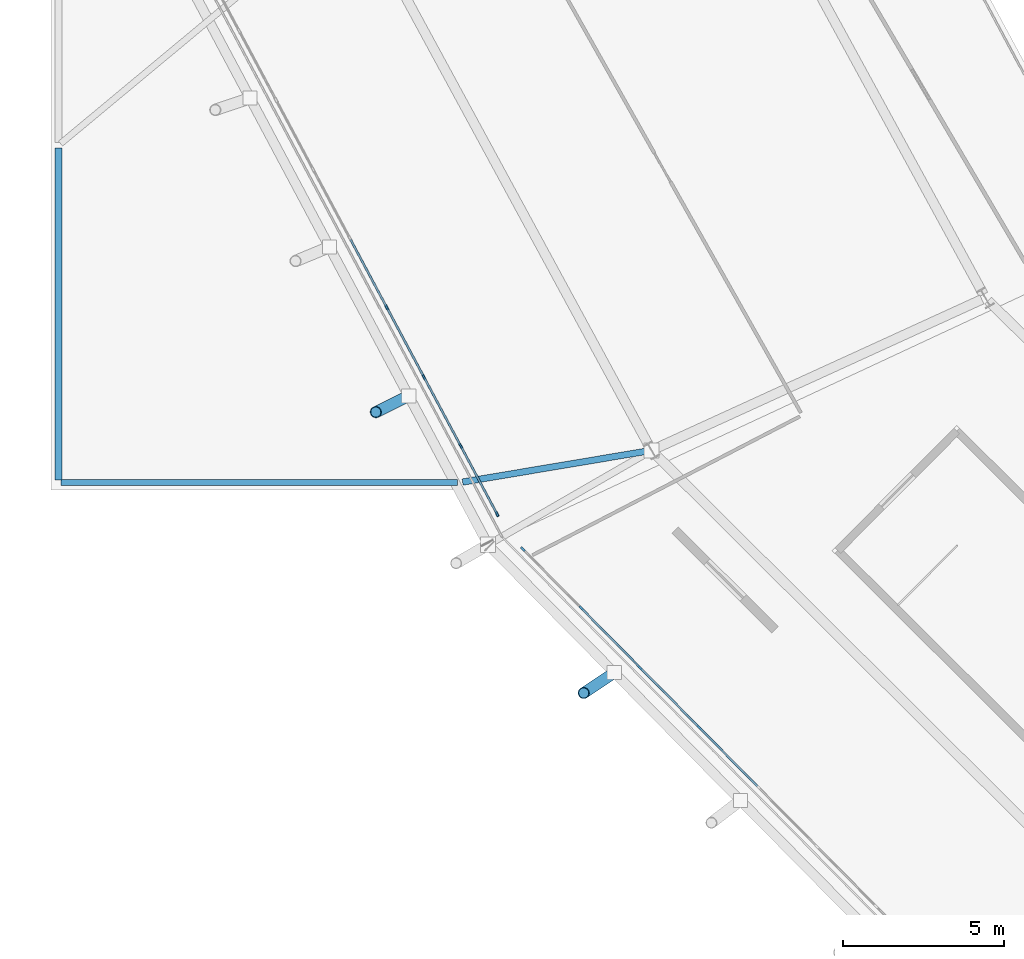
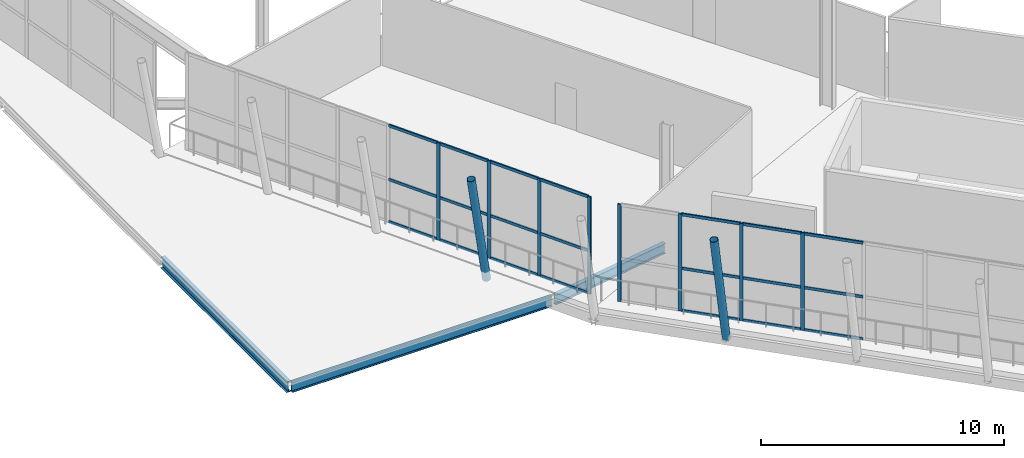
# One storey, part 16 of 99: 31 members, 3 beams, 2 elements without a shape of their own.
"""IFC4 building model written with IfcOpenShell, lengths in metres."""

import ifcopenshell
import ifcopenshell.guid

model = None  # the IFC model being written
_history = None  # IfcOwnerHistory: only IFC2X3 demands one
_inside = {}  # id of a spatial element -> (the spatial element, [elements in it])
_under = {}  # id of a project, library or spatial element -> (it, [spatial elements below it])
_declared = {}  # id of a project -> (the project, [libraries it declares])
_typed = {}  # id of a type object -> (the type object, [elements of that type])
_made_of = {}  # id of a material, layer set ... -> (it, [elements and type objects made of it])


def new_model(schema):
    """Start an empty IFC model of exactly this schema.

    Asked for "IFC4X3", IfcOpenShell would pick the latest addendum, in which some entities
    have other attributes; the version numbers below select the first issue.
    IFC2X3 requires an IfcOwnerHistory on every rooted entity: one is made here for all.
    """
    global model, _history
    if schema == "IFC4X3":
        model = ifcopenshell.file(schema_version=(4, 3, 0, 0))
    else:
        model = ifcopenshell.file(schema=schema)
    _inside.clear()
    _under.clear()
    _declared.clear()
    _typed.clear()
    _made_of.clear()
    _history = None
    if model.schema == "IFC2X3":
        org = make("IfcOrganization", Name="unknown")
        user = make(
            "IfcPersonAndOrganization",
            ThePerson=make("IfcPerson", FamilyName="unknown"),
            TheOrganization=org,
        )
        app = make(
            "IfcApplication",
            ApplicationDeveloper=org,
            Version="unknown",
            ApplicationFullName="unknown",
            ApplicationIdentifier="unknown",
        )
        _history = make(
            "IfcOwnerHistory",
            OwningUser=user,
            OwningApplication=app,
            ChangeAction="ADDED",
            CreationDate=0,
        )
    return model


def make(cls, **values):
    """One entity of the class cls with the attributes given. An attribute that is None is left unset."""
    return model.create_entity(
        cls, **{name: value for name, value in values.items() if value is not None}
    )


def rooted(cls, **values):
    """An entity with a GlobalId (a new one), such as an element, a storey or a relation."""
    return make(cls, GlobalId=ifcopenshell.guid.new(), OwnerHistory=_history, **values)


def si_unit(unit_type, name, prefix=None):
    """IfcSIUnit, for example si_unit("LENGTHUNIT", "METRE", prefix="MILLI")."""
    return make("IfcSIUnit", UnitType=unit_type, Prefix=prefix, Name=name)


def assignment(units):
    """IfcUnitAssignment: the units of a project."""
    return None if units is None else make("IfcUnitAssignment", Units=units)


def point(xyz):
    """IfcCartesianPoint."""
    return None if xyz is None else make("IfcCartesianPoint", Coordinates=xyz)


def direction(xyz):
    """IfcDirection."""
    return None if xyz is None else make("IfcDirection", DirectionRatios=xyz)


def frame(location, z_axis=None, x_axis=None):
    """IfcAxis2Placement3D, a coordinate frame: its origin and axes. An axis left out is left unset."""
    return make(
        "IfcAxis2Placement3D",
        Location=point(location),
        Axis=direction(z_axis),
        RefDirection=direction(x_axis),
    )


def frame_2d(location, x_axis=None):
    """IfcAxis2Placement2D, a coordinate frame in the plane: its origin and x axis."""
    return make(
        "IfcAxis2Placement2D", Location=point(location), RefDirection=direction(x_axis)
    )


def origin():
    """The frame at (0, 0, 0) with its axes left unset."""
    return frame((0.0, 0.0, 0.0))


def origin_2d():
    """The frame at (0, 0) in the plane with its x axis left unset."""
    return frame_2d((0.0, 0.0))


def place(relative_to, where):
    """IfcLocalPlacement: puts the frame where relative to a parent placement (None: the world)."""
    return make(
        "IfcLocalPlacement", PlacementRelTo=relative_to, RelativePlacement=where
    )


def context(
    kind, dimensions, precision=None, world=None, true_north=None, identifier=None
):
    """IfcGeometricRepresentationContext, for example the 3D "Model" context."""
    return make(
        "IfcGeometricRepresentationContext",
        ContextIdentifier=identifier,
        ContextType=kind,
        CoordinateSpaceDimension=dimensions,
        Precision=precision,
        WorldCoordinateSystem=world,
        TrueNorth=true_north,
    )


def subcontext(parent, identifier, kind, view, scale=None):
    """IfcGeometricRepresentationSubContext, for example "Body" below "Model"."""
    return make(
        "IfcGeometricRepresentationSubContext",
        ContextIdentifier=identifier,
        ContextType=kind,
        ParentContext=parent,
        TargetScale=scale,
        TargetView=view,
    )


def project(units=None, contexts=None):
    """IfcProject with its units and contexts."""
    return rooted(
        "IfcProject",
        Name="project",
        RepresentationContexts=contexts,
        UnitsInContext=assignment(units),
    )


def spatial(cls, under=None, at=None, **own):
    """A site, building, storey or space (cls), placed at a placement, below another one or the project."""
    s = rooted(cls, ObjectPlacement=at, **own)
    if under is not None:
        _under.setdefault(under.id(), (under, []))[1].append(s)
    return s


def profile(cls, at=None, kind="AREA", **sizes):
    """A parametric profile (cls). Its sizes go by their IFC names, for example OverallWidth=200.0."""
    return make(cls, ProfileType=kind, Position=at, **sizes)


def rectangle(**sizes):
    """IfcRectangleProfileDef."""
    return profile("IfcRectangleProfileDef", **sizes)


def hollow_circle(**sizes):
    """IfcCircleHollowProfileDef."""
    return profile("IfcCircleHollowProfileDef", **sizes)


def i_section(**sizes):
    """IfcIShapeProfileDef."""
    return profile("IfcIShapeProfileDef", **sizes)


def extrude(swept, where, along, depth):
    """IfcExtrudedAreaSolid: the profile swept, set in the frame where, extruded along a direction by depth."""
    return make(
        "IfcExtrudedAreaSolid",
        SweptArea=swept,
        Position=where,
        ExtrudedDirection=direction(along),
        Depth=depth,
    )


def shape(context_of_items, identifier, shape_type, items):
    """IfcShapeRepresentation: the items that make up one representation, for example the "Body"."""
    return make(
        "IfcShapeRepresentation",
        ContextOfItems=context_of_items,
        RepresentationIdentifier=identifier,
        RepresentationType=shape_type,
        Items=items,
    )


def material(Name=None, Category=None):
    """IfcMaterial."""
    return make("IfcMaterial", Name=Name, Category=Category)


def material_profile(
    of_material, cross_section, Name=None, Category=None, Priority=None
):
    """IfcMaterialProfile: a cross section and its material."""
    return make(
        "IfcMaterialProfile",
        Name=Name,
        Material=of_material,
        Profile=cross_section,
        Priority=Priority,
        Category=Category,
    )


def profile_set(profiles, Name=None, composite=None):
    """IfcMaterialProfileSet."""
    return make(
        "IfcMaterialProfileSet",
        Name=Name,
        MaterialProfiles=profiles,
        CompositeProfile=composite,
    )


def made_of(thing, what):
    """Note that an element or type object is made of a material, layer set ...; save() writes the relation."""
    if what is not None:
        _made_of.setdefault(what.id(), (what, []))[1].append(thing)
    return thing


def type_object(cls, material=None, **own):
    """A type object (cls), such as IfcWallType, which elements share."""
    return made_of(rooted(cls, **own), material)


def element(
    cls,
    number,
    at=None,
    inside=None,
    cuts=None,
    type_object=None,
    material=None,
    context=None,
    identifier="Body",
    shape_type=None,
    held_by="IfcProductDefinitionShape",
    body=None,
    shapes=None,
    **own,
):
    """One element of the class cls, such as IfcWall. Its Tag is "e" and its number.

    at: its placement. inside: the storey or other place that contains it. cuts: it is an
    opening in that element (IfcRelVoidsElement). A single representation is given by context,
    identifier, shape_type and body (its items); several are given by shapes. held_by: the class
    of the entity that holds the representations. save() writes the other relations.
    """
    e = rooted(cls, Tag="e%d" % number, ObjectPlacement=at, **own)
    if body is not None:
        shapes = [shape(context, identifier, shape_type, body)]
    if shapes is not None:
        e.Representation = make(held_by, Representations=shapes)
    if inside is not None:
        _inside.setdefault(inside.id(), (inside, []))[1].append(e)
    if cuts is not None:
        rooted(
            "IfcRelVoidsElement", RelatingBuildingElement=cuts, RelatedOpeningElement=e
        )
    if type_object is not None:
        _typed.setdefault(type_object.id(), (type_object, []))[1].append(e)
    return made_of(e, material)


def aggregate(whole, parts):
    """IfcRelAggregates: a whole, such as a stair, and the parts it consists of."""
    return rooted("IfcRelAggregates", RelatingObject=whole, RelatedObjects=parts)


def save(model, path):
    """Write the relations noted so far, then the file.

    IfcRelAggregates (storeys below a building ...), IfcRelContainedInSpatialStructure (elements
    in a storey), IfcRelDefinesByType, IfcRelAssociatesMaterial and IfcRelDeclares: one each for
    every whole, place, type object, material and project.
    """
    for whole, parts in _under.values():
        aggregate(whole, parts)
    for where, things in _inside.values():
        rooted(
            "IfcRelContainedInSpatialStructure",
            RelatedElements=things,
            RelatingStructure=where,
        )
    for kind, things in _typed.values():
        rooted("IfcRelDefinesByType", RelatedObjects=things, RelatingType=kind)
    for what, things in _made_of.values():
        rooted("IfcRelAssociatesMaterial", RelatedObjects=things, RelatingMaterial=what)
    for by, libraries in _declared.values():
        rooted("IfcRelDeclares", RelatingContext=by, RelatedDefinitions=libraries)
    model.write(path)


model = new_model("IFC4")

# Units and contexts
model_context = context("Model", 3, precision=1e-05, world=origin(), true_north=direction((0.0, 1.0)))
body_context = subcontext(model_context, "Body", "Model", "MODEL_VIEW")
ifc_project = project(units=[si_unit("LENGTHUNIT", "METRE"), si_unit("AREAUNIT", "SQUARE_METRE"), si_unit("VOLUMEUNIT", "CUBIC_METRE"), si_unit("PLANEANGLEUNIT", "RADIAN"), si_unit("MASSUNIT", "GRAM", prefix="KILO")], contexts=[model_context])

# Site, building, storey
site_placement = place(None, origin())
site = spatial("IfcSite", under=ifc_project, at=site_placement, CompositionType="ELEMENT")
building_placement = place(site_placement, origin())
building = spatial("IfcBuilding", under=site, at=building_placement, Name="Zlatoyarsky Gate Stadium", CompositionType="ELEMENT")
storey_placement = place(building_placement, frame((0.0, 0.0, 26.199951171875)))
storey = spatial("IfcBuildingStorey", under=building, at=storey_placement, Name="L05", CompositionType="ELEMENT", Elevation=26.199951171875)

# Curtain wall, members
ifc_material_1 = material(Name="Thermally broken anodised aluminium curtain wall", Category="aluminium")
curtain_wall_type = type_object("IfcCurtainWallType", Name="UNITISED SKYBOX RING GLAZING L05", PredefinedType="USERDEFINED", material=ifc_material_1)
curtain_wall_1_placement = place(storey_placement, origin())
curtain_wall_1 = element("IfcCurtainWall", 1, at=curtain_wall_1_placement, inside=storey, type_object=curtain_wall_type, Name="Curtain wall CW-L05-13", ObjectType="UNITISED GLAZING", PredefinedType="USERDEFINED")
ifc_material_2 = material(Name="Anodised aluminium 6063-T6", Category="aluminium")
ifc_material_profile_1 = material_profile(ifc_material_2, rectangle(XDim=0.06494140625, YDim=0.159912109375, at=origin_2d()), Name="ALU 65X160")
ifc_profile_set_1 = profile_set([ifc_material_profile_1], Name="Anodised aluminium 6063-T6")
member_type_1 = type_object("IfcMemberType", Name="ALUMINIUM MULLION 65X160", PredefinedType="MULLION", material=ifc_profile_set_1)
member_1_placement = place(storey_placement, frame((22.220703125, 48.944091796875, 0.0), z_axis=(0.0, 0.0, 1.0), x_axis=(0.882166738191, 0.470937199667, 0.0)))
member_1 = element("IfcMember", 2, at=member_1_placement, type_object=member_type_1, Name="CW-UG5 mullion 6", PredefinedType="MULLION", context=body_context, shape_type="SweptSolid", body=[
    extrude(rectangle(XDim=0.06494140625, YDim=0.159912109375, at=origin_2d()), origin(), (0.0, 0.0, 1.0), 4.880126953125),
])
member_2_placement = place(storey_placement, frame((23.3701171875, 46.790771484375, 0.0), z_axis=(0.0, 0.0, 1.0), x_axis=(0.882166738191, 0.470937199667, 0.0)))
member_2 = element("IfcMember", 3, at=member_2_placement, type_object=member_type_1, Name="CW-UG5 mullion 7", PredefinedType="MULLION", context=body_context, shape_type="SweptSolid", body=[
    extrude(rectangle(XDim=0.06494140625, YDim=0.159912109375, at=origin_2d()), origin(), (0.0, 0.0, 1.0), 4.880126953125),
])
member_3_placement = place(storey_placement, frame((24.519775390625, 44.6376953125, 0.0), z_axis=(0.0, 0.0, 1.0), x_axis=(0.882166738191, 0.470937199667, 0.0)))
member_3 = element("IfcMember", 4, at=member_3_placement, type_object=member_type_1, Name="CW-UG5 mullion 8", PredefinedType="MULLION", context=body_context, shape_type="SweptSolid", body=[
    extrude(rectangle(XDim=0.06494140625, YDim=0.159912109375, at=origin_2d()), origin(), (0.0, 0.0, 1.0), 4.880126953125),
])
member_4_placement = place(storey_placement, frame((25.65380859375, 42.51318359375, 0.0), z_axis=(0.0, 0.0, 1.0), x_axis=(0.882166738191, 0.470937199667, 0.0)))
member_4 = element("IfcMember", 5, at=member_4_placement, type_object=member_type_1, Name="CW-UG5 mullion 9", PredefinedType="MULLION", context=body_context, shape_type="SweptSolid", body=[
    extrude(rectangle(XDim=0.06494140625, YDim=0.159912109375, at=origin_2d()), origin(), (0.0, 0.0, 1.0), 4.880126953125),
])

curtain_wall_2_placement = place(storey_placement, origin())
curtain_wall_2 = element("IfcCurtainWall", 6, at=curtain_wall_2_placement, inside=storey, type_object=curtain_wall_type, Name="Curtain wall CW-L05-14", ObjectType="UNITISED GLAZING", PredefinedType="USERDEFINED")
member_5_placement = place(storey_placement, frame((26.455322265625, 41.42578125, 0.0), z_axis=(0.0, 0.0, 1.0), x_axis=(0.711035710587, 0.70315589898, 0.0)))
member_5 = element("IfcMember", 7, at=member_5_placement, type_object=member_type_1, Name="CW-UG5 mullion 1", PredefinedType="MULLION", context=body_context, shape_type="SweptSolid", body=[
    extrude(rectangle(XDim=0.06494140625, YDim=0.159912109375, at=origin_2d()), origin(), (0.0, 0.0, 1.0), 4.880126953125),
])
member_6_placement = place(storey_placement, frame((28.268310546875, 39.59228515625, 0.0), z_axis=(0.0, 0.0, 1.0), x_axis=(0.711035710587, 0.70315589898, 0.0)))
member_6 = element("IfcMember", 8, at=member_6_placement, type_object=member_type_1, Name="CW-UG5 mullion 2", PredefinedType="MULLION", context=body_context, shape_type="SweptSolid", body=[
    extrude(rectangle(XDim=0.06494140625, YDim=0.159912109375, at=origin_2d()), origin(), (0.0, 0.0, 1.0), 4.880126953125),
])
member_7_placement = place(storey_placement, frame((30.1044921875, 37.735595703125, 0.0), z_axis=(0.0, 0.0, 1.0), x_axis=(0.711035710587, 0.70315589898, 0.0)))
member_7 = element("IfcMember", 9, at=member_7_placement, type_object=member_type_1, Name="CW-UG5 mullion 3", PredefinedType="MULLION", context=body_context, shape_type="SweptSolid", body=[
    extrude(rectangle(XDim=0.06494140625, YDim=0.159912109375, at=origin_2d()), origin(), (0.0, 0.0, 1.0), 4.880126953125),
])
member_8_placement = place(storey_placement, frame((31.9404296875, 35.879150390625, 0.0), z_axis=(0.0, 0.0, 1.0), x_axis=(0.711035710587, 0.70315589898, 0.0)))
member_8 = element("IfcMember", 10, at=member_8_placement, type_object=member_type_1, Name="CW-UG5 mullion 4", PredefinedType="MULLION", context=body_context, shape_type="SweptSolid", body=[
    extrude(rectangle(XDim=0.06494140625, YDim=0.159912109375, at=origin_2d()), origin(), (0.0, 0.0, 1.0), 4.880126953125),
])

# Member
ifc_material_profile_2 = material_profile(ifc_material_2, rectangle(XDim=0.06494140625, YDim=0.139892578125, at=origin_2d()), Name="ALU 65X140")
ifc_profile_set_2 = profile_set([ifc_material_profile_2], Name="Anodised aluminium 6063-T6")
member_type_2 = type_object("IfcMemberType", Name="ALUMINIUM TRANSOM 65X140", PredefinedType="USERDEFINED", material=ifc_profile_set_2)
member_9_placement = place(storey_placement, frame((21.086669921875, 51.068603515625, 0.032470703125), z_axis=(0.470897586762, -0.88218788406, 0.0), x_axis=(0.88218788406, 0.470897586762, 0.0)))
member_9 = element("IfcMember", 11, at=member_9_placement, type_object=member_type_2, Name="CW-UG5 transom 5.1", ObjectType="TRANSOM", PredefinedType="USERDEFINED", context=body_context, shape_type="SweptSolid", body=[
    extrude(rectangle(XDim=0.06494140625, YDim=0.139892578125, at=origin_2d()), origin(), (0.0, 0.0, 1.0), 2.37548828125),
])

member_10_placement = place(storey_placement, frame((21.086669921875, 51.068603515625, 2.150146484375), z_axis=(0.470897586762, -0.88218788406, 0.0), x_axis=(0.88218788406, 0.470897586762, 0.0)))
member_10 = element("IfcMember", 12, at=member_10_placement, type_object=member_type_2, Name="CW-UG5 transom 5.2", ObjectType="TRANSOM", PredefinedType="USERDEFINED", context=body_context, shape_type="SweptSolid", body=[
    extrude(rectangle(XDim=0.06494140625, YDim=0.139892578125, at=origin_2d()), origin(), (0.0, 0.0, 1.0), 2.37548828125),
])

member_11_placement = place(storey_placement, frame((21.086669921875, 51.068603515625, 4.84765625), z_axis=(0.470897586762, -0.88218788406, 0.0), x_axis=(0.88218788406, 0.470897586762, 0.0)))
member_11 = element("IfcMember", 13, at=member_11_placement, type_object=member_type_2, Name="CW-UG5 transom 5.3", ObjectType="TRANSOM", PredefinedType="USERDEFINED", context=body_context, shape_type="SweptSolid", body=[
    extrude(rectangle(XDim=0.06494140625, YDim=0.139892578125, at=origin_2d()), origin(), (0.0, 0.0, 1.0), 2.37548828125),
])

member_12_placement = place(storey_placement, frame((22.236083984375, 48.91552734375, 0.032470703125), z_axis=(0.470934870173, -0.882167981767, 0.0), x_axis=(0.882167981767, 0.470934870173, 0.0)))
member_12 = element("IfcMember", 14, at=member_12_placement, type_object=member_type_2, Name="CW-UG5 transom 6.1", ObjectType="TRANSOM", PredefinedType="USERDEFINED", context=body_context, shape_type="SweptSolid", body=[
    extrude(rectangle(XDim=0.06494140625, YDim=0.139892578125, at=origin_2d()), origin(), (0.0, 0.0, 1.0), 2.3759765625),
])

member_13_placement = place(storey_placement, frame((22.236083984375, 48.91552734375, 2.150146484375), z_axis=(0.470934870173, -0.882167981767, 0.0), x_axis=(0.882167981767, 0.470934870173, 0.0)))
member_13 = element("IfcMember", 15, at=member_13_placement, type_object=member_type_2, Name="CW-UG5 transom 6.2", ObjectType="TRANSOM", PredefinedType="USERDEFINED", context=body_context, shape_type="SweptSolid", body=[
    extrude(rectangle(XDim=0.06494140625, YDim=0.139892578125, at=origin_2d()), origin(), (0.0, 0.0, 1.0), 2.3759765625),
])

member_14_placement = place(storey_placement, frame((22.236083984375, 48.91552734375, 4.84765625), z_axis=(0.470934870173, -0.882167981767, 0.0), x_axis=(0.882167981767, 0.470934870173, 0.0)))
member_14 = element("IfcMember", 16, at=member_14_placement, type_object=member_type_2, Name="CW-UG5 transom 6.3", ObjectType="TRANSOM", PredefinedType="USERDEFINED", context=body_context, shape_type="SweptSolid", body=[
    extrude(rectangle(XDim=0.06494140625, YDim=0.139892578125, at=origin_2d()), origin(), (0.0, 0.0, 1.0), 2.3759765625),
])

member_15_placement = place(storey_placement, frame((23.385498046875, 46.76220703125, 0.032470703125), z_axis=(0.470934870173, -0.882167981767, 0.0), x_axis=(0.882167981767, 0.470934870173, 0.0)))
member_15 = element("IfcMember", 17, at=member_15_placement, type_object=member_type_2, Name="CW-UG5 transom 7.1", ObjectType="TRANSOM", PredefinedType="USERDEFINED", context=body_context, shape_type="SweptSolid", body=[
    extrude(rectangle(XDim=0.06494140625, YDim=0.139892578125, at=origin_2d()), origin(), (0.0, 0.0, 1.0), 2.3759765625),
])

member_16_placement = place(storey_placement, frame((23.385498046875, 46.76220703125, 2.150146484375), z_axis=(0.470934870173, -0.882167981767, 0.0), x_axis=(0.882167981767, 0.470934870173, 0.0)))
member_16 = element("IfcMember", 18, at=member_16_placement, type_object=member_type_2, Name="CW-UG5 transom 7.2", ObjectType="TRANSOM", PredefinedType="USERDEFINED", context=body_context, shape_type="SweptSolid", body=[
    extrude(rectangle(XDim=0.06494140625, YDim=0.139892578125, at=origin_2d()), origin(), (0.0, 0.0, 1.0), 2.3759765625),
])

member_17_placement = place(storey_placement, frame((23.385498046875, 46.76220703125, 4.84765625), z_axis=(0.470934870173, -0.882167981767, 0.0), x_axis=(0.882167981767, 0.470934870173, 0.0)))
member_17 = element("IfcMember", 19, at=member_17_placement, type_object=member_type_2, Name="CW-UG5 transom 7.3", ObjectType="TRANSOM", PredefinedType="USERDEFINED", context=body_context, shape_type="SweptSolid", body=[
    extrude(rectangle(XDim=0.06494140625, YDim=0.139892578125, at=origin_2d()), origin(), (0.0, 0.0, 1.0), 2.3759765625),
])

member_18_placement = place(storey_placement, frame((24.534912109375, 44.60888671875, 0.032470703125), z_axis=(0.471015370143, -0.882125003097, 0.0), x_axis=(0.882125003097, 0.471015370143, 0.0)))
member_18 = element("IfcMember", 20, at=member_18_placement, type_object=member_type_2, Name="CW-UG5 transom 8.1", ObjectType="TRANSOM", PredefinedType="USERDEFINED", context=body_context, shape_type="SweptSolid", body=[
    extrude(rectangle(XDim=0.06494140625, YDim=0.139892578125, at=origin_2d()), origin(), (0.0, 0.0, 1.0), 2.34326171875),
])

member_19_placement = place(storey_placement, frame((24.534912109375, 44.60888671875, 2.150146484375), z_axis=(0.471015370143, -0.882125003097, 0.0), x_axis=(0.882125003097, 0.471015370143, 0.0)))
member_19 = element("IfcMember", 21, at=member_19_placement, type_object=member_type_2, Name="CW-UG5 transom 8.2", ObjectType="TRANSOM", PredefinedType="USERDEFINED", context=body_context, shape_type="SweptSolid", body=[
    extrude(rectangle(XDim=0.06494140625, YDim=0.139892578125, at=origin_2d()), origin(), (0.0, 0.0, 1.0), 2.34326171875),
])

member_20_placement = place(storey_placement, frame((24.534912109375, 44.60888671875, 4.84765625), z_axis=(0.471015370143, -0.882125003097, 0.0), x_axis=(0.882125003097, 0.471015370143, 0.0)))
member_20 = element("IfcMember", 22, at=member_20_placement, type_object=member_type_2, Name="CW-UG5 transom 8.3", ObjectType="TRANSOM", PredefinedType="USERDEFINED", context=body_context, shape_type="SweptSolid", body=[
    extrude(rectangle(XDim=0.06494140625, YDim=0.139892578125, at=origin_2d()), origin(), (0.0, 0.0, 1.0), 2.34326171875),
])

aggregate(curtain_wall_1, [member_1, member_2, member_3, member_4, member_9, member_10, member_11, member_12, member_13, member_14, member_15, member_16, member_17, member_18, member_19, member_20])

member_21_placement = place(storey_placement, frame((28.291259765625, 39.569091796875, 0.032470703125), z_axis=(0.7031643449, -0.711027358166, 0.0), x_axis=(0.711027358166, 0.7031643449, 0.0)))
member_21 = element("IfcMember", 23, at=member_21_placement, type_object=member_type_2, Name="CW-UG5 transom 2.1", ObjectType="TRANSOM", PredefinedType="USERDEFINED", context=body_context, shape_type="SweptSolid", body=[
    extrude(rectangle(XDim=0.06494140625, YDim=0.139892578125, at=origin_2d()), origin(), (0.0, 0.0, 1.0), 2.546142578125),
])

member_22_placement = place(storey_placement, frame((28.291259765625, 39.569091796875, 2.150146484375), z_axis=(0.7031643449, -0.711027358166, 0.0), x_axis=(0.711027358166, 0.7031643449, 0.0)))
member_22 = element("IfcMember", 24, at=member_22_placement, type_object=member_type_2, Name="CW-UG5 transom 2.2", ObjectType="TRANSOM", PredefinedType="USERDEFINED", context=body_context, shape_type="SweptSolid", body=[
    extrude(rectangle(XDim=0.06494140625, YDim=0.139892578125, at=origin_2d()), origin(), (0.0, 0.0, 1.0), 2.546142578125),
])

member_23_placement = place(storey_placement, frame((28.291259765625, 39.569091796875, 4.84765625), z_axis=(0.7031643449, -0.711027358166, 0.0), x_axis=(0.711027358166, 0.7031643449, 0.0)))
member_23 = element("IfcMember", 25, at=member_23_placement, type_object=member_type_2, Name="CW-UG5 transom 2.3", ObjectType="TRANSOM", PredefinedType="USERDEFINED", context=body_context, shape_type="SweptSolid", body=[
    extrude(rectangle(XDim=0.06494140625, YDim=0.139892578125, at=origin_2d()), origin(), (0.0, 0.0, 1.0), 2.546142578125),
])

member_24_placement = place(storey_placement, frame((30.127197265625, 37.71240234375, 0.032470703125), z_axis=(0.7031643449, -0.711027358166, 0.0), x_axis=(0.711027358166, 0.7031643449, 0.0)))
member_24 = element("IfcMember", 26, at=member_24_placement, type_object=member_type_2, Name="CW-UG5 transom 3.1", ObjectType="TRANSOM", PredefinedType="USERDEFINED", context=body_context, shape_type="SweptSolid", body=[
    extrude(rectangle(XDim=0.06494140625, YDim=0.139892578125, at=origin_2d()), origin(), (0.0, 0.0, 1.0), 2.546142578125),
])

member_25_placement = place(storey_placement, frame((30.127197265625, 37.71240234375, 2.150146484375), z_axis=(0.7031643449, -0.711027358166, 0.0), x_axis=(0.711027358166, 0.7031643449, 0.0)))
member_25 = element("IfcMember", 27, at=member_25_placement, type_object=member_type_2, Name="CW-UG5 transom 3.2", ObjectType="TRANSOM", PredefinedType="USERDEFINED", context=body_context, shape_type="SweptSolid", body=[
    extrude(rectangle(XDim=0.06494140625, YDim=0.139892578125, at=origin_2d()), origin(), (0.0, 0.0, 1.0), 2.546142578125),
])

member_26_placement = place(storey_placement, frame((30.127197265625, 37.71240234375, 4.84765625), z_axis=(0.7031643449, -0.711027358166, 0.0), x_axis=(0.711027358166, 0.7031643449, 0.0)))
member_26 = element("IfcMember", 28, at=member_26_placement, type_object=member_type_2, Name="CW-UG5 transom 3.3", ObjectType="TRANSOM", PredefinedType="USERDEFINED", context=body_context, shape_type="SweptSolid", body=[
    extrude(rectangle(XDim=0.06494140625, YDim=0.139892578125, at=origin_2d()), origin(), (0.0, 0.0, 1.0), 2.546142578125),
])

member_27_placement = place(storey_placement, frame((31.96337890625, 35.85595703125, 0.032470703125), z_axis=(0.7031643449, -0.711027358166, 0.0), x_axis=(0.711027358166, 0.7031643449, 0.0)))
member_27 = element("IfcMember", 29, at=member_27_placement, type_object=member_type_2, Name="CW-UG5 transom 4.1", ObjectType="TRANSOM", PredefinedType="USERDEFINED", context=body_context, shape_type="SweptSolid", body=[
    extrude(rectangle(XDim=0.06494140625, YDim=0.139892578125, at=origin_2d()), origin(), (0.0, 0.0, 1.0), 2.546142578125),
])

member_28_placement = place(storey_placement, frame((31.96337890625, 35.85595703125, 2.150146484375), z_axis=(0.7031643449, -0.711027358166, 0.0), x_axis=(0.711027358166, 0.7031643449, 0.0)))
member_28 = element("IfcMember", 30, at=member_28_placement, type_object=member_type_2, Name="CW-UG5 transom 4.2", ObjectType="TRANSOM", PredefinedType="USERDEFINED", context=body_context, shape_type="SweptSolid", body=[
    extrude(rectangle(XDim=0.06494140625, YDim=0.139892578125, at=origin_2d()), origin(), (0.0, 0.0, 1.0), 2.546142578125),
])

member_29_placement = place(storey_placement, frame((31.96337890625, 35.85595703125, 4.84765625), z_axis=(0.7031643449, -0.711027358166, 0.0), x_axis=(0.711027358166, 0.7031643449, 0.0)))
member_29 = element("IfcMember", 31, at=member_29_placement, type_object=member_type_2, Name="CW-UG5 transom 4.3", ObjectType="TRANSOM", PredefinedType="USERDEFINED", context=body_context, shape_type="SweptSolid", body=[
    extrude(rectangle(XDim=0.06494140625, YDim=0.139892578125, at=origin_2d()), origin(), (0.0, 0.0, 1.0), 2.546142578125),
])

aggregate(curtain_wall_2, [member_5, member_6, member_7, member_8, member_21, member_22, member_23, member_24, member_25, member_26, member_27, member_28, member_29])

# Beams
ifc_material_3 = material(Name="Steel S355", Category="steel")
ifc_material_profile_3 = material_profile(ifc_material_3, i_section(OverallWidth=0.199951171875, OverallDepth=0.5, WebThickness=0.01025390625, FlangeThickness=0.01611328125, FilletRadius=0.02099609375, at=origin_2d()), Name="IPE 500")
ifc_profile_set_3 = profile_set([ifc_material_profile_3], Name="Steel S355")
beam_type_1 = type_object("IfcBeamType", Name="STEEL FLOOR BEAM IPE 500", PredefinedType="BEAM", material=ifc_profile_set_3)
beam_1_placement = place(storey_placement, frame((12.080078125, 43.5, -0.510009765625), z_axis=(1.0, 0.0, 0.0), x_axis=(0.0, 1.0, 0.0)))
element("IfcBeam", 32, at=beam_1_placement, inside=storey, type_object=beam_type_1, Name="Beam B-IPE500 BM-L05-WGX-2-E", PredefinedType="BEAM", context=body_context, shape_type="SweptSolid", body=[
    extrude(i_section(OverallWidth=0.199951171875, OverallDepth=0.5, WebThickness=0.01025390625, FlangeThickness=0.01611328125, FilletRadius=0.02099609375, at=origin_2d()), origin(), (0.0, 0.0, 1.0), 12.33984375),
])
beam_2_placement = place(storey_placement, frame((24.578857421875, 43.51318359375, -0.510009765625), z_axis=(0.986216052635, 0.165462677136, 0.0), x_axis=(-0.165462677136, 0.986216052635, 0.0)))
element("IfcBeam", 33, at=beam_2_placement, inside=storey, type_object=beam_type_1, Name="Beam B-IPE500 BM-L05-WRF-W1", PredefinedType="BEAM", context=body_context, shape_type="SweptSolid", body=[
    extrude(i_section(OverallWidth=0.199951171875, OverallDepth=0.5, WebThickness=0.01025390625, FlangeThickness=0.01611328125, FilletRadius=0.02099609375, at=origin_2d()), origin(), (0.0, 0.0, 1.0), 5.843017578125),
])
ifc_material_profile_4 = material_profile(ifc_material_3, i_section(OverallWidth=0.2099609375, OverallDepth=0.550048828125, WebThickness=0.010986328125, FlangeThickness=0.01708984375, FilletRadius=0.02392578125, at=origin_2d()), Name="IPE 550")
ifc_profile_set_4 = profile_set([ifc_material_profile_4], Name="Steel S355")
beam_type_2 = type_object("IfcBeamType", Name="STEEL FLOOR BEAM IPE 550", PredefinedType="BEAM", material=ifc_profile_set_4)
beam_3_placement = place(storey_placement, frame((12.0, 43.580078125, -0.534912109375), z_axis=(0.0, 1.0, 0.0), x_axis=(-1.0, 0.0, 0.0)))
element("IfcBeam", 34, at=beam_3_placement, inside=storey, type_object=beam_type_2, Name="Beam B-IPE550 BM-L05-WGY-2-E", PredefinedType="BEAM", context=body_context, shape_type="SweptSolid", body=[
    extrude(i_section(OverallWidth=0.2099609375, OverallDepth=0.550048828125, WebThickness=0.010986328125, FlangeThickness=0.01708984375, FilletRadius=0.02392578125, at=origin_2d()), origin(), (0.0, 0.0, 1.0), 10.33984375),
])

# Members
ifc_material_profile_5 = material_profile(ifc_material_3, hollow_circle(Radius=0.177734375, WallThickness=0.02001953125, at=origin_2d()), Name="CHS 355.6X20")
ifc_profile_set_5 = profile_set([ifc_material_profile_5], Name="Steel S355")
member_type_3 = type_object("IfcMemberType", Name="STEEL LEANING RIB RING STRUT CHS 355.6X20", PredefinedType="STRUT", material=ifc_profile_set_5)
for number, where, z_axis, x_axis, name in (
    (35, (22.899658203125, 46.1962890625, -0.510009765625), (-0.177369194888, -0.087521867322, 0.980244914011), (0.442504467342, -0.896766299758, 0.0), "Outward-leaning bowl louvre fin rib L05 13-3"),
    (36, (29.297607421875, 37.58056640625, -0.510009765625), (-0.164514777259, -0.109845641562, 0.980239166272), (0.555291946385, -0.83165549014, 0.0), "Outward-leaning bowl louvre fin rib L05 14-1"),
):
    element("IfcMember", number, at=place(storey_placement, frame(where, z_axis=z_axis, x_axis=x_axis)), inside=storey, type_object=member_type_3, Name=name, PredefinedType="STRUT", context=body_context, shape_type="SweptSolid", body=[
        extrude(hollow_circle(Radius=0.177734375, WallThickness=0.02001953125, at=origin_2d()), origin(), (0.0, 0.0, 1.0), 5.774169921875),
    ])

save(model, "model.ifc")
